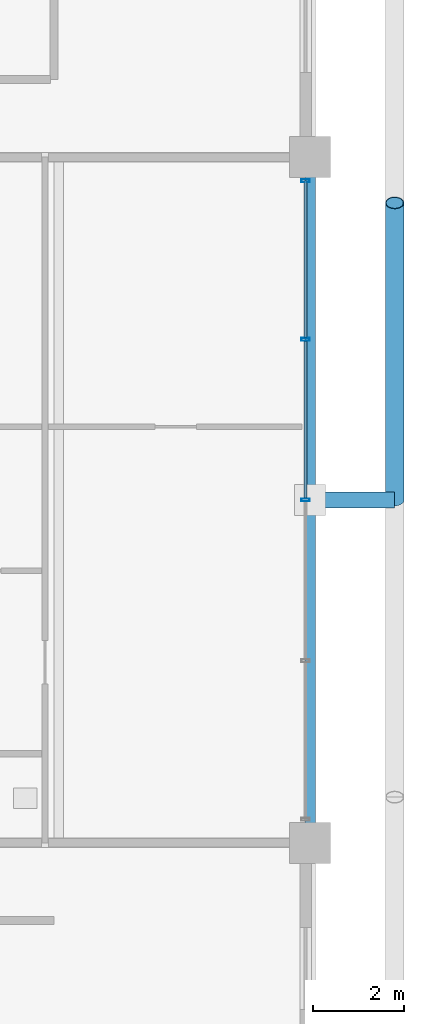
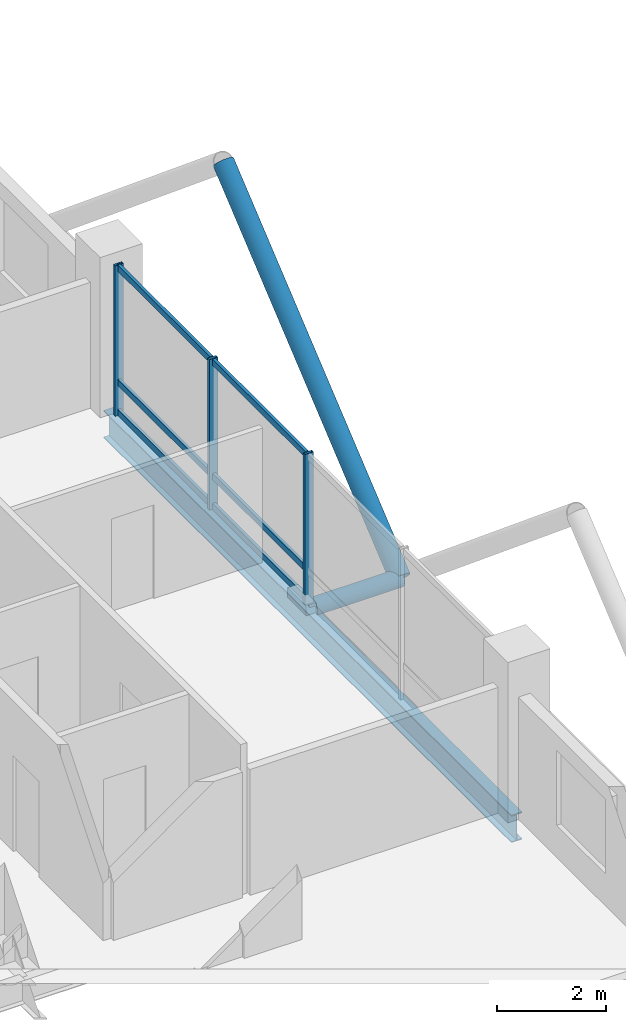
# One storey, part 13 of 24: 11 members, 1 beam, 1 element without a shape of its own.
"""IFC4 building model written with IfcOpenShell, lengths in metres."""

from ifc_helpers import new_model, si_unit, direction, frame, origin, origin_2d, place, context, subcontext, project, spatial, hollow_rectangle, hollow_circle, i_section, extrude, material, layer, layer_set, material_profile, profile_set, type_object, element, aggregate, save


model = new_model("IFC4")

# Units and contexts
model_context = context("Model", 3, precision=1e-05, world=origin(), true_north=direction((0.0, 1.0)))
body_context = subcontext(model_context, "Body", "Model", "MODEL_VIEW")
ifc_project = project(units=[si_unit("LENGTHUNIT", "METRE"), si_unit("AREAUNIT", "SQUARE_METRE"), si_unit("VOLUMEUNIT", "CUBIC_METRE"), si_unit("PLANEANGLEUNIT", "RADIAN"), si_unit("MASSUNIT", "GRAM", prefix="KILO")], contexts=[model_context])

# Site, building, storey
site_placement = place(None, origin())
site = spatial("IfcSite", under=ifc_project, at=site_placement, CompositionType="ELEMENT")
building_placement = place(site_placement, origin())
building = spatial("IfcBuilding", under=site, at=building_placement, Name="Barlavira Tower and Art Museum", CompositionType="ELEMENT")
storey_placement = place(building_placement, frame((0.0, 0.0, 283.5)))
storey = spatial("IfcBuildingStorey", under=building, at=storey_placement, Name="L74", CompositionType="ELEMENT", Elevation=283.5)

# Curtain wall, members
ifc_material_1 = material(Name="Low-iron coastal laminated glass", Category="glass")
ifc_layer = layer(ifc_material_1, 0.2099609375, Name="Low-iron coastal laminated glass")
ifc_layer_set = layer_set([ifc_layer], Name="Low-iron coastal laminated glass")
curtain_wall_type = type_object("IfcCurtainWallType", Name="Pale-Metal Unitised Curtain Wall Zone 4", PredefinedType="NOTDEFINED", material=ifc_layer_set)
curtain_wall_placement = place(storey_placement, origin())
curtain_wall = element("IfcCurtainWall", 1, at=curtain_wall_placement, inside=storey, type_object=curtain_wall_type, Name="L74 Curtain Wall CW4-L74-E-B3", PredefinedType="NOTDEFINED")
ifc_material_2 = material(Name="Pale anodised aluminium", Category="aluminium")
ifc_material_profile_1 = material_profile(ifc_material_2, hollow_rectangle(XDim=0.06494140625, YDim=0.179931640625, WallThickness=0.00390625, at=origin_2d()), Name="ALU-MULL 65x180x4")
ifc_profile_set_1 = profile_set([ifc_material_profile_1], Name="Pale anodised aluminium")
member_type_1 = type_object("IfcMemberType", Name="Curtain Wall Pale-Metal Mullion 65x180", PredefinedType="MULLION", material=ifc_profile_set_1)
member_1_placement = place(storey_placement, frame((16.89990234375, 0.0, 0.0), z_axis=(0.0, 0.0, 1.0), x_axis=(0.0, 1.0, 0.0)))
member_1 = element("IfcMember", 2, at=member_1_placement, type_object=member_type_1, Name="CW4-L74-E-B3 Mullion 2", PredefinedType="MULLION", context=body_context, shape_type="SweptSolid", body=[
    extrude(hollow_rectangle(XDim=0.06494140625, YDim=0.179931640625, WallThickness=0.00390625, at=origin_2d()), origin(), (0.0, 0.0, 1.0), 3.3798828125),
])
member_2_placement = place(storey_placement, frame((16.89990234375, 3.514892578125, 0.0), z_axis=(0.0, 0.0, 1.0), x_axis=(0.0, 1.0, 0.0)))
member_2 = element("IfcMember", 3, at=member_2_placement, type_object=member_type_1, Name="CW4-L74-E-B3 Mullion 3", PredefinedType="MULLION", context=body_context, shape_type="SweptSolid", body=[
    extrude(hollow_rectangle(XDim=0.06494140625, YDim=0.179931640625, WallThickness=0.00390625, at=origin_2d()), origin(), (0.0, 0.0, 1.0), 3.3798828125),
])
member_3_placement = place(storey_placement, frame((16.89990234375, 6.985107421875, 0.0), z_axis=(0.0, 0.0, 1.0), x_axis=(0.0, 1.0, 0.0)))
member_3 = element("IfcMember", 4, at=member_3_placement, type_object=member_type_1, Name="CW4-L74-E-B3 Mullion 4", PredefinedType="MULLION", context=body_context, shape_type="SweptSolid", body=[
    extrude(hollow_rectangle(XDim=0.06494140625, YDim=0.179931640625, WallThickness=0.00390625, at=origin_2d()), origin(), (0.0, 0.0, 1.0), 3.3798828125),
])
ifc_material_profile_2 = material_profile(ifc_material_2, hollow_rectangle(XDim=0.06494140625, YDim=0.139892578125, WallThickness=0.00390625, at=origin_2d()), Name="ALU-TRAN 65x140x4")
ifc_profile_set_2 = profile_set([ifc_material_profile_2], Name="Pale anodised aluminium")
member_type_2 = type_object("IfcMemberType", Name="Curtain Wall Pale-Metal Transom 65x140", PredefinedType="USERDEFINED", material=ifc_profile_set_2)
member_4_placement = place(storey_placement, frame((16.89990234375, 0.044921875, 0.070068359375), z_axis=(0.0, 1.0, 0.0), x_axis=(-1.0, 0.0, 0.0)))
member_4 = element("IfcMember", 5, at=member_4_placement, type_object=member_type_2, Name="CW4-L74-E-B3 Transom 2.1", ObjectType="TRANSOM", PredefinedType="USERDEFINED", context=body_context, shape_type="SweptSolid", body=[
    extrude(hollow_rectangle(XDim=0.06494140625, YDim=0.139892578125, WallThickness=0.00390625, at=origin_2d()), origin(), (0.0, 0.0, 1.0), 3.425048828125),
])
member_5_placement = place(storey_placement, frame((16.89990234375, 0.044921875, 0.743896484375), z_axis=(0.0, 1.0, 0.0), x_axis=(-1.0, 0.0, 0.0)))
member_5 = element("IfcMember", 6, at=member_5_placement, type_object=member_type_2, Name="CW4-L74-E-B3 Transom 2.2", ObjectType="TRANSOM", PredefinedType="USERDEFINED", context=body_context, shape_type="SweptSolid", body=[
    extrude(hollow_rectangle(XDim=0.06494140625, YDim=0.139892578125, WallThickness=0.00390625, at=origin_2d()), origin(), (0.0, 0.0, 1.0), 3.425048828125),
])
member_6_placement = place(storey_placement, frame((16.89990234375, 0.044921875, 3.31005859375), z_axis=(0.0, 1.0, 0.0), x_axis=(-1.0, 0.0, 0.0)))
member_6 = element("IfcMember", 7, at=member_6_placement, type_object=member_type_2, Name="CW4-L74-E-B3 Transom 2.3", ObjectType="TRANSOM", PredefinedType="USERDEFINED", context=body_context, shape_type="SweptSolid", body=[
    extrude(hollow_rectangle(XDim=0.06494140625, YDim=0.139892578125, WallThickness=0.00390625, at=origin_2d()), origin(), (0.0, 0.0, 1.0), 3.425048828125),
])
member_7_placement = place(storey_placement, frame((16.89990234375, 3.56005859375, 0.070068359375), z_axis=(0.0, 1.0, 0.0), x_axis=(-1.0, 0.0, 0.0)))
member_7 = element("IfcMember", 8, at=member_7_placement, type_object=member_type_2, Name="CW4-L74-E-B3 Transom 3.1", ObjectType="TRANSOM", PredefinedType="USERDEFINED", context=body_context, shape_type="SweptSolid", body=[
    extrude(hollow_rectangle(XDim=0.06494140625, YDim=0.139892578125, WallThickness=0.00390625, at=origin_2d()), origin(), (0.0, 0.0, 1.0), 3.425048828125),
])
member_8_placement = place(storey_placement, frame((16.89990234375, 3.56005859375, 0.743896484375), z_axis=(0.0, 1.0, 0.0), x_axis=(-1.0, 0.0, 0.0)))
member_8 = element("IfcMember", 9, at=member_8_placement, type_object=member_type_2, Name="CW4-L74-E-B3 Transom 3.2", ObjectType="TRANSOM", PredefinedType="USERDEFINED", context=body_context, shape_type="SweptSolid", body=[
    extrude(hollow_rectangle(XDim=0.06494140625, YDim=0.139892578125, WallThickness=0.00390625, at=origin_2d()), origin(), (0.0, 0.0, 1.0), 3.425048828125),
])
member_9_placement = place(storey_placement, frame((16.89990234375, 3.56005859375, 3.31005859375), z_axis=(0.0, 1.0, 0.0), x_axis=(-1.0, 0.0, 0.0)))
member_9 = element("IfcMember", 10, at=member_9_placement, type_object=member_type_2, Name="CW4-L74-E-B3 Transom 3.3", ObjectType="TRANSOM", PredefinedType="USERDEFINED", context=body_context, shape_type="SweptSolid", body=[
    extrude(hollow_rectangle(XDim=0.06494140625, YDim=0.139892578125, WallThickness=0.00390625, at=origin_2d()), origin(), (0.0, 0.0, 1.0), 3.425048828125),
])
aggregate(curtain_wall, [member_1, member_2, member_3, member_4, member_5, member_6, member_7, member_8, member_9])

# Members
ifc_material_3 = material(Name="Steel S355", Category="steel")
ifc_material_profile_3 = material_profile(ifc_material_3, hollow_circle(Radius=0.203125, WallThickness=0.01611328125, at=origin_2d()), Name="CHS 406.4x16.0")
ifc_profile_set_3 = profile_set([ifc_material_profile_3], Name="Steel S355")
member_type_3 = type_object("IfcMemberType", Name="Pale-Metal Exoskeleton Diagrid Tube CHS 406x16 Steel S355", PredefinedType="BRACE", material=ifc_profile_set_3)
member_10_placement = place(storey_placement, frame((18.85009765625, 0.0, -0.1201171875), z_axis=(0.0, 0.76918185268, 0.639029950399), x_axis=(-1.0, 0.0, 0.0)))
element("IfcMember", 11, at=member_10_placement, inside=storey, type_object=member_type_3, Name="L74 Exoskeleton Diagrid Tube E", PredefinedType="BRACE", context=body_context, shape_type="SweptSolid", body=[
    extrude(hollow_circle(Radius=0.203125, WallThickness=0.01611328125, at=origin_2d()), origin(), (0.0, 0.0, 1.0), 8.450439453125),
])
ifc_material_profile_4 = material_profile(ifc_material_3, hollow_circle(Radius=0.177734375, WallThickness=0.01611328125, at=origin_2d()), Name="CHS 355.6x16.0")
ifc_profile_set_4 = profile_set([ifc_material_profile_4], Name="Steel S355")
member_type_4 = type_object("IfcMemberType", Name="Pale-Metal Exoskeleton Tie Strut CHS 356x16 Steel S355", PredefinedType="STRUT", material=ifc_profile_set_4)
member_11_placement = place(storey_placement, frame((18.85009765625, 0.0, -0.1201171875), z_axis=(-1.0, 0.0, 0.0), x_axis=(0.0, -1.0, 0.0)))
element("IfcMember", 12, at=member_11_placement, inside=storey, type_object=member_type_4, Name="L74 Exoskeleton Tie Strut E2", PredefinedType="STRUT", context=body_context, shape_type="SweptSolid", body=[
    extrude(hollow_circle(Radius=0.177734375, WallThickness=0.01611328125, at=origin_2d()), origin(), (0.0, 0.0, 1.0), 1.85009765625),
])

# Beam
ifc_material_profile_5 = material_profile(ifc_material_3, i_section(OverallWidth=0.22998046875, OverallDepth=0.616943359375, WebThickness=0.01318359375, FlangeThickness=0.022216796875, at=origin_2d()), Name="W610x140.0")
ifc_profile_set_5 = profile_set([ifc_material_profile_5], Name="Steel S355")
beam_type = type_object("IfcBeamType", Name="Upper Shaft Spandrel Edge Beam W610x140 Steel S355", PredefinedType="SPANDREL", material=ifc_profile_set_5)
beam_placement = place(storey_placement, frame((17.0, -7.5, -0.528564453125), z_axis=(0.0, 1.0, 0.0), x_axis=(-1.0, 0.0, 0.0)))
element("IfcBeam", 13, at=beam_placement, inside=storey, type_object=beam_type, Name="L74 Spandrel 6", PredefinedType="SPANDREL", context=body_context, shape_type="SweptSolid", body=[
    extrude(i_section(OverallWidth=0.22998046875, OverallDepth=0.616943359375, WebThickness=0.01318359375, FlangeThickness=0.022216796875, at=origin_2d()), origin(), (0.0, 0.0, 1.0), 15.0),
])

save(model, "model.ifc")
